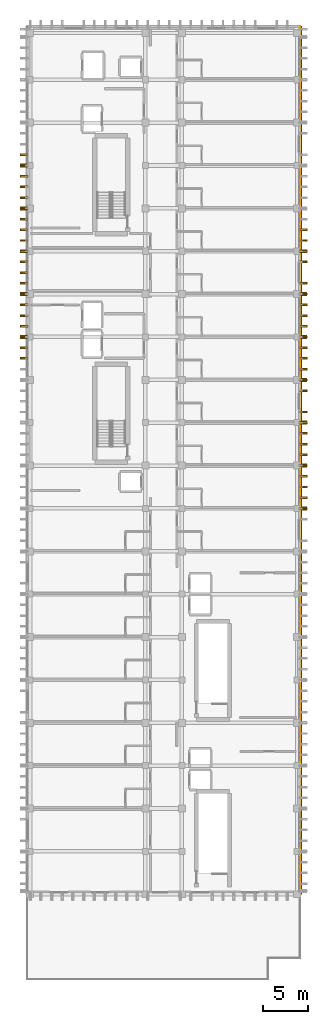
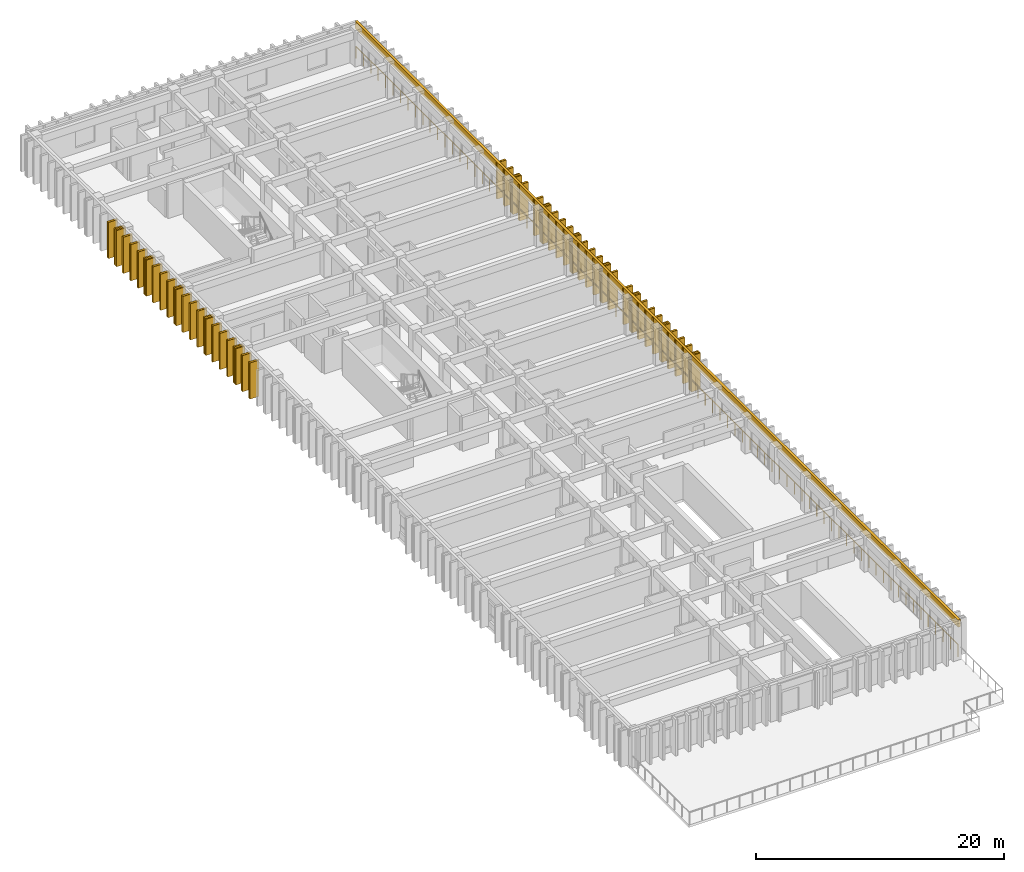
# One storey, part 66 of 68: 46 coverings, 45 shading devices, 1 railing.
"""IFC4 building model written with IfcOpenShell, lengths in metres."""

from ifc_helpers import new_model, si_unit, direction, frame, origin, origin_2d, place, context, subcontext, project, spatial, rectangle, circle, extrude, material, layer, layer_set, type_object, element, save


model = new_model("IFC4")

# Units and contexts
model_context = context("Model", 3, precision=1e-05, world=origin(), true_north=direction((0.0, 1.0)))
body_context = subcontext(model_context, "Body", "Model", "MODEL_VIEW")
ifc_project = project(units=[si_unit("LENGTHUNIT", "METRE"), si_unit("AREAUNIT", "SQUARE_METRE"), si_unit("VOLUMEUNIT", "CUBIC_METRE"), si_unit("PLANEANGLEUNIT", "RADIAN"), si_unit("MASSUNIT", "GRAM", prefix="KILO")], contexts=[model_context])

# Site, building, storey
site_placement = place(None, origin())
site = spatial("IfcSite", under=ifc_project, at=site_placement, CompositionType="ELEMENT")
building_placement = place(site_placement, origin())
building = spatial("IfcBuilding", under=site, at=building_placement, Name="Nakhvara Creek Congress Hotel", CompositionType="ELEMENT")
storey_placement = place(building_placement, frame((0.0, 0.0, 24.60009765625)))
storey = spatial("IfcBuildingStorey", under=building, at=storey_placement, Name="L05", CompositionType="ELEMENT", Elevation=24.60009765625)

# Coverings
ifc_material_1 = material(Name="Honed pale Omani limestone architectural cladding", Category="masonry")
ifc_layer_1 = layer(ifc_material_1, 0.219970703125)
ifc_layer_set_1 = layer_set([ifc_layer_1], Name="Honed pale Omani limestone architectural cladding")
covering_type_1 = type_object("IfcCoveringType", Name="COV-FIN-850", PredefinedType="CLADDING", material=ifc_layer_set_1)
covering_1_placement = place(storey_placement, frame((180.054931640625, 72.0, -0.000244140625), z_axis=(0.0, 0.0, 1.0), x_axis=(0.0, 1.0, 0.0)))
element("IfcCovering", 1, at=covering_1_placement, inside=storey, type_object=covering_type_1, Name="Pale Limestone Fin Cladding CF01-1486", PredefinedType="CLADDING", context=body_context, shape_type="SweptSolid", body=[
    extrude(rectangle(XDim=0.43994140625, YDim=0.85009765625, at=origin_2d()), origin(), (0.0, 0.0, 1.0), 3.56005859375),
])
for number, where, z_axis, x_axis, name in (
    (2, (180.054931640625, 73.199951171875, -0.000244140625), (0.0, 0.0, 1.0), (0.0, 1.0, 0.0), "Pale Limestone Fin Cladding CF01-1488"),
    (3, (180.054931640625, 74.39990234375, -0.000244140625), (0.0, 0.0, 1.0), (0.0, 1.0, 0.0), "Pale Limestone Fin Cladding CF01-1490"),
    (4, (180.054931640625, 75.60009765625, -0.000244140625), (0.0, 0.0, 1.0), (0.0, 1.0, 0.0), "Pale Limestone Fin Cladding CF01-1492"),
):
    element("IfcCovering", number, at=place(storey_placement, frame(where, z_axis=z_axis, x_axis=x_axis)), inside=storey, type_object=covering_type_1, Name=name, PredefinedType="CLADDING", context=body_context, shape_type="SweptSolid", body=[
        extrude(rectangle(XDim=0.219970703125, YDim=0.85009765625, at=origin_2d()), origin(), (0.0, 0.0, 1.0), 3.56005859375),
    ])
covering_2_placement = place(storey_placement, frame((180.054931640625, 76.800048828125, -0.000244140625), z_axis=(0.0, 0.0, 1.0), x_axis=(0.0, 1.0, 0.0)))
element("IfcCovering", 5, at=covering_2_placement, inside=storey, type_object=covering_type_1, Name="Pale Limestone Fin Cladding CF01-1494", PredefinedType="CLADDING", context=body_context, shape_type="SweptSolid", body=[
    extrude(rectangle(XDim=0.43994140625, YDim=0.85009765625, at=origin_2d()), origin(), (0.0, 0.0, 1.0), 3.56005859375),
])
for number, where, z_axis, x_axis, name in (
    (6, (180.054931640625, 78.0, -0.000244140625), (0.0, 0.0, 1.0), (0.0, 1.0, 0.0), "Pale Limestone Fin Cladding CF01-1496"),
    (7, (180.054931640625, 79.199951171875, -0.000244140625), (0.0, 0.0, 1.0), (0.0, 1.0, 0.0), "Pale Limestone Fin Cladding CF01-1498"),
    (8, (180.054931640625, 80.39990234375, -0.000244140625), (0.0, 0.0, 1.0), (0.0, 1.0, 0.0), "Pale Limestone Fin Cladding CF01-1500"),
):
    element("IfcCovering", number, at=place(storey_placement, frame(where, z_axis=z_axis, x_axis=x_axis)), inside=storey, type_object=covering_type_1, Name=name, PredefinedType="CLADDING", context=body_context, shape_type="SweptSolid", body=[
        extrude(rectangle(XDim=0.219970703125, YDim=0.85009765625, at=origin_2d()), origin(), (0.0, 0.0, 1.0), 3.56005859375),
    ])
covering_3_placement = place(storey_placement, frame((180.054931640625, 81.60009765625, -0.000244140625), z_axis=(0.0, 0.0, 1.0), x_axis=(0.0, 1.0, 0.0)))
element("IfcCovering", 9, at=covering_3_placement, inside=storey, type_object=covering_type_1, Name="Pale Limestone Fin Cladding CF01-1502", PredefinedType="CLADDING", context=body_context, shape_type="SweptSolid", body=[
    extrude(rectangle(XDim=0.43994140625, YDim=0.85009765625, at=origin_2d()), origin(), (0.0, 0.0, 1.0), 3.56005859375),
])
for number, where, z_axis, x_axis, name in (
    (10, (180.054931640625, 82.800048828125, -0.000244140625), (0.0, 0.0, 1.0), (0.0, 1.0, 0.0), "Pale Limestone Fin Cladding CF01-1504"),
    (11, (180.054931640625, 85.199951171875, -0.000244140625), (0.0, 0.0, 1.0), (0.0, 1.0, 0.0), "Pale Limestone Fin Cladding CF01-1507"),
):
    element("IfcCovering", number, at=place(storey_placement, frame(where, z_axis=z_axis, x_axis=x_axis)), inside=storey, type_object=covering_type_1, Name=name, PredefinedType="CLADDING", context=body_context, shape_type="SweptSolid", body=[
        extrude(rectangle(XDim=0.219970703125, YDim=0.85009765625, at=origin_2d()), origin(), (0.0, 0.0, 1.0), 3.56005859375),
    ])
covering_4_placement = place(storey_placement, frame((180.054931640625, 86.39990234375, -0.000244140625), z_axis=(0.0, 0.0, 1.0), x_axis=(0.0, 1.0, 0.0)))
element("IfcCovering", 12, at=covering_4_placement, inside=storey, type_object=covering_type_1, Name="Pale Limestone Fin Cladding CF01-1509", PredefinedType="CLADDING", context=body_context, shape_type="SweptSolid", body=[
    extrude(rectangle(XDim=0.43994140625, YDim=0.85009765625, at=origin_2d()), origin(), (0.0, 0.0, 1.0), 3.56005859375),
])
for number, where, z_axis, x_axis, name in (
    (13, (180.054931640625, 87.60009765625, -0.000244140625), (0.0, 0.0, 1.0), (0.0, 1.0, 0.0), "Pale Limestone Fin Cladding CF01-1511"),
    (14, (180.054931640625, 88.800048828125, -0.000244140625), (0.0, 0.0, 1.0), (0.0, 1.0, 0.0), "Pale Limestone Fin Cladding CF01-1513"),
    (15, (148.7451171875, 88.800048828125, -0.000244140625), (0.0, 0.0, 1.0), (0.0, 1.0, 0.0), "Pale Limestone Fin Cladding CF01-1514"),
    (16, (180.054931640625, 90.0, -0.000244140625), (0.0, 0.0, 1.0), (0.0, 1.0, 0.0), "Pale Limestone Fin Cladding CF01-1515"),
    (17, (148.7451171875, 90.0, -0.000244140625), (0.0, 0.0, 1.0), (0.0, 1.0, 0.0), "Pale Limestone Fin Cladding CF01-1516"),
):
    element("IfcCovering", number, at=place(storey_placement, frame(where, z_axis=z_axis, x_axis=x_axis)), inside=storey, type_object=covering_type_1, Name=name, PredefinedType="CLADDING", context=body_context, shape_type="SweptSolid", body=[
        extrude(rectangle(XDim=0.219970703125, YDim=0.85009765625, at=origin_2d()), origin(), (0.0, 0.0, 1.0), 3.56005859375),
    ])
for number, where, z_axis, x_axis, name in (
    (18, (180.054931640625, 91.199951171875, -0.000244140625), (0.0, 0.0, 1.0), (0.0, 1.0, 0.0), "Pale Limestone Fin Cladding CF01-1517"),
    (19, (148.7451171875, 91.199951171875, -0.000244140625), (0.0, 0.0, 1.0), (0.0, 1.0, 0.0), "Pale Limestone Fin Cladding CF01-1518"),
):
    element("IfcCovering", number, at=place(storey_placement, frame(where, z_axis=z_axis, x_axis=x_axis)), inside=storey, type_object=covering_type_1, Name=name, PredefinedType="CLADDING", context=body_context, shape_type="SweptSolid", body=[
        extrude(rectangle(XDim=0.43994140625, YDim=0.85009765625, at=origin_2d()), origin(), (0.0, 0.0, 1.0), 3.56005859375),
    ])
for number, where, z_axis, x_axis, name in (
    (20, (180.054931640625, 92.39990234375, -0.000244140625), (0.0, 0.0, 1.0), (0.0, 1.0, 0.0), "Pale Limestone Fin Cladding CF01-1519"),
    (21, (148.7451171875, 92.39990234375, -0.000244140625), (0.0, 0.0, 1.0), (0.0, 1.0, 0.0), "Pale Limestone Fin Cladding CF01-1520"),
    (22, (180.054931640625, 93.60009765625, -0.000244140625), (0.0, 0.0, 1.0), (0.0, 1.0, 0.0), "Pale Limestone Fin Cladding CF01-1521"),
    (23, (148.7451171875, 93.60009765625, -0.000244140625), (0.0, 0.0, 1.0), (0.0, 1.0, 0.0), "Pale Limestone Fin Cladding CF01-1522"),
    (24, (180.054931640625, 94.800048828125, -0.000244140625), (0.0, 0.0, 1.0), (0.0, 1.0, 0.0), "Pale Limestone Fin Cladding CF01-1523"),
    (25, (148.7451171875, 94.800048828125, -0.000244140625), (0.0, 0.0, 1.0), (0.0, 1.0, 0.0), "Pale Limestone Fin Cladding CF01-1524"),
):
    element("IfcCovering", number, at=place(storey_placement, frame(where, z_axis=z_axis, x_axis=x_axis)), inside=storey, type_object=covering_type_1, Name=name, PredefinedType="CLADDING", context=body_context, shape_type="SweptSolid", body=[
        extrude(rectangle(XDim=0.219970703125, YDim=0.85009765625, at=origin_2d()), origin(), (0.0, 0.0, 1.0), 3.56005859375),
    ])
for number, where, z_axis, x_axis, name in (
    (26, (180.054931640625, 96.0, -0.000244140625), (0.0, 0.0, 1.0), (0.0, 1.0, 0.0), "Pale Limestone Fin Cladding CF01-1525"),
    (27, (148.7451171875, 96.0, -0.000244140625), (0.0, 0.0, 1.0), (0.0, 1.0, 0.0), "Pale Limestone Fin Cladding CF01-1526"),
):
    element("IfcCovering", number, at=place(storey_placement, frame(where, z_axis=z_axis, x_axis=x_axis)), inside=storey, type_object=covering_type_1, Name=name, PredefinedType="CLADDING", context=body_context, shape_type="SweptSolid", body=[
        extrude(rectangle(XDim=0.43994140625, YDim=0.85009765625, at=origin_2d()), origin(), (0.0, 0.0, 1.0), 3.56005859375),
    ])
for number, where, z_axis, x_axis, name in (
    (28, (180.054931640625, 97.199951171875, -0.000244140625), (0.0, 0.0, 1.0), (0.0, 1.0, 0.0), "Pale Limestone Fin Cladding CF01-1527"),
    (29, (148.7451171875, 97.199951171875, -0.000244140625), (0.0, 0.0, 1.0), (0.0, 1.0, 0.0), "Pale Limestone Fin Cladding CF01-1528"),
    (30, (148.7451171875, 98.39990234375, -0.000244140625), (0.0, 0.0, 1.0), (0.0, 1.0, 0.0), "Pale Limestone Fin Cladding CF01-1529"),
    (31, (180.054931640625, 99.60009765625, -0.000244140625), (0.0, 0.0, 1.0), (0.0, 1.0, 0.0), "Pale Limestone Fin Cladding CF01-1530"),
    (32, (148.7451171875, 99.60009765625, -0.000244140625), (0.0, 0.0, 1.0), (0.0, 1.0, 0.0), "Pale Limestone Fin Cladding CF01-1531"),
):
    element("IfcCovering", number, at=place(storey_placement, frame(where, z_axis=z_axis, x_axis=x_axis)), inside=storey, type_object=covering_type_1, Name=name, PredefinedType="CLADDING", context=body_context, shape_type="SweptSolid", body=[
        extrude(rectangle(XDim=0.219970703125, YDim=0.85009765625, at=origin_2d()), origin(), (0.0, 0.0, 1.0), 3.56005859375),
    ])
for number, where, z_axis, x_axis, name in (
    (33, (180.054931640625, 100.800048828125, -0.000244140625), (0.0, 0.0, 1.0), (0.0, 1.0, 0.0), "Pale Limestone Fin Cladding CF01-1532"),
    (34, (148.7451171875, 100.800048828125, -0.000244140625), (0.0, 0.0, 1.0), (0.0, 1.0, 0.0), "Pale Limestone Fin Cladding CF01-1533"),
):
    element("IfcCovering", number, at=place(storey_placement, frame(where, z_axis=z_axis, x_axis=x_axis)), inside=storey, type_object=covering_type_1, Name=name, PredefinedType="CLADDING", context=body_context, shape_type="SweptSolid", body=[
        extrude(rectangle(XDim=0.43994140625, YDim=0.85009765625, at=origin_2d()), origin(), (0.0, 0.0, 1.0), 3.56005859375),
    ])
for number, where, z_axis, x_axis, name in (
    (35, (180.054931640625, 102.0, -0.000244140625), (0.0, 0.0, 1.0), (0.0, 1.0, 0.0), "Pale Limestone Fin Cladding CF01-1534"),
    (36, (148.7451171875, 102.0, -0.000244140625), (0.0, 0.0, 1.0), (0.0, 1.0, 0.0), "Pale Limestone Fin Cladding CF01-1535"),
    (37, (180.054931640625, 103.199951171875, -0.000244140625), (0.0, 0.0, 1.0), (0.0, 1.0, 0.0), "Pale Limestone Fin Cladding CF01-1536"),
    (38, (148.7451171875, 103.199951171875, -0.000244140625), (0.0, 0.0, 1.0), (0.0, 1.0, 0.0), "Pale Limestone Fin Cladding CF01-1537"),
    (39, (148.7451171875, 104.39990234375, -0.000244140625), (0.0, 0.0, 1.0), (0.0, 1.0, 0.0), "Pale Limestone Fin Cladding CF01-1539"),
):
    element("IfcCovering", number, at=place(storey_placement, frame(where, z_axis=z_axis, x_axis=x_axis)), inside=storey, type_object=covering_type_1, Name=name, PredefinedType="CLADDING", context=body_context, shape_type="SweptSolid", body=[
        extrude(rectangle(XDim=0.219970703125, YDim=0.85009765625, at=origin_2d()), origin(), (0.0, 0.0, 1.0), 3.56005859375),
    ])
covering_5_placement = place(storey_placement, frame((148.7451171875, 105.60009765625, -0.000244140625), z_axis=(0.0, 0.0, 1.0), x_axis=(0.0, 1.0, 0.0)))
element("IfcCovering", 40, at=covering_5_placement, inside=storey, type_object=covering_type_1, Name="Pale Limestone Fin Cladding CF01-1541", PredefinedType="CLADDING", context=body_context, shape_type="SweptSolid", body=[
    extrude(rectangle(XDim=0.43994140625, YDim=0.85009765625, at=origin_2d()), origin(), (0.0, 0.0, 1.0), 3.56005859375),
])
for number, where, z_axis, x_axis, name in (
    (41, (148.7451171875, 106.800048828125, -0.000244140625), (0.0, 0.0, 1.0), (0.0, 1.0, 0.0), "Pale Limestone Fin Cladding CF01-1543"),
    (42, (148.7451171875, 108.0, -0.000244140625), (0.0, 0.0, 1.0), (0.0, 1.0, 0.0), "Pale Limestone Fin Cladding CF01-1545"),
    (43, (148.7451171875, 109.199951171875, -0.000244140625), (0.0, 0.0, 1.0), (0.0, 1.0, 0.0), "Pale Limestone Fin Cladding CF01-1547"),
):
    element("IfcCovering", number, at=place(storey_placement, frame(where, z_axis=z_axis, x_axis=x_axis)), inside=storey, type_object=covering_type_1, Name=name, PredefinedType="CLADDING", context=body_context, shape_type="SweptSolid", body=[
        extrude(rectangle(XDim=0.219970703125, YDim=0.85009765625, at=origin_2d()), origin(), (0.0, 0.0, 1.0), 3.56005859375),
    ])
covering_6_placement = place(storey_placement, frame((148.7451171875, 110.39990234375, -0.000244140625), z_axis=(0.0, 0.0, 1.0), x_axis=(0.0, 1.0, 0.0)))
element("IfcCovering", 44, at=covering_6_placement, inside=storey, type_object=covering_type_1, Name="Pale Limestone Fin Cladding CF01-1549", PredefinedType="CLADDING", context=body_context, shape_type="SweptSolid", body=[
    extrude(rectangle(XDim=0.43994140625, YDim=0.85009765625, at=origin_2d()), origin(), (0.0, 0.0, 1.0), 3.56005859375),
])
covering_7_placement = place(storey_placement, frame((148.7451171875, 111.60009765625, -0.000244140625), z_axis=(0.0, 0.0, 1.0), x_axis=(0.0, 1.0, 0.0)))
element("IfcCovering", 45, at=covering_7_placement, inside=storey, type_object=covering_type_1, Name="Pale Limestone Fin Cladding CF01-1551", PredefinedType="CLADDING", context=body_context, shape_type="SweptSolid", body=[
    extrude(rectangle(XDim=0.219970703125, YDim=0.85009765625, at=origin_2d()), origin(), (0.0, 0.0, 1.0), 3.56005859375),
])
ifc_layer_2 = layer(ifc_material_1, 0.179931640625)
ifc_layer_set_2 = layer_set([ifc_layer_2], Name="Honed pale Omani limestone architectural cladding")
covering_type_2 = type_object("IfcCoveringType", Name="COV-SPN-180", PredefinedType="CLADDING", material=ifc_layer_set_2)
covering_8_placement = place(storey_placement, frame((179.739990234375, 77.39990234375, 2.909912109375), z_axis=(0.0, 0.0, 1.0), x_axis=(0.0, 1.0, 0.0)))
element("IfcCovering", 46, at=covering_8_placement, inside=storey, type_object=covering_type_2, Name="Pale Limestone Spandrel Band CF02-0061", PredefinedType="CLADDING", context=body_context, shape_type="SweptSolid", body=[
    extrude(rectangle(XDim=97.199951171875, YDim=0.219970703125, at=origin_2d()), origin(), (0.0, 0.0, 1.0), 0.72998046875),
])

# Railing
ifc_material_2 = material(Name="Brushed stainless steel 316L", Category="steel")
railing_type = type_object("IfcRailingType", Name="RL-GUARD-1200", PredefinedType="GUARDRAIL", material=ifc_material_2)
railing_placement = place(storey_placement, frame((179.669921875, 28.8798828125, 0.0)))
element("IfcRailing", 47, at=railing_placement, inside=storey, type_object=railing_type, Name="Perimeter Safety Rail East L05", PredefinedType="GUARDRAIL", context=body_context, shape_type="SweptSolid", body=[
    extrude(circle(Radius=0.02392578125, at=origin_2d()), frame((0.0, 0.0146484375, 1.17578125), z_axis=(0.0, 1.0, 0.0), x_axis=(-1.0, 0.0, 0.0)), (0.0, 0.0, 1.0), 97.0107421875),
    extrude(circle(Radius=0.02099609375, at=origin_2d()), origin(), (0.0, 0.0, 1.0), 1.1806640625),
    extrude(circle(Radius=0.02099609375, at=origin_2d()), frame((0.0, 1.197998046875, 0.0)), (0.0, 0.0, 1.0), 1.1806640625),
    extrude(circle(Radius=0.02099609375, at=origin_2d()), frame((0.0, 2.39599609375, 0.0)), (0.0, 0.0, 1.0), 1.1806640625),
    extrude(circle(Radius=0.02099609375, at=origin_2d()), frame((0.0, 3.593994140625, 0.0)), (0.0, 0.0, 1.0), 1.1806640625),
    extrude(circle(Radius=0.02099609375, at=origin_2d()), frame((0.0, 4.7919921875, 0.0)), (0.0, 0.0, 1.0), 1.1806640625),
    extrude(circle(Radius=0.02099609375, at=origin_2d()), frame((0.0, 5.990234375, 0.0)), (0.0, 0.0, 1.0), 1.1806640625),
    extrude(circle(Radius=0.02099609375, at=origin_2d()), frame((0.0, 7.188232421875, 0.0)), (0.0, 0.0, 1.0), 1.1806640625),
    extrude(circle(Radius=0.02099609375, at=origin_2d()), frame((0.0, 8.38623046875, 0.0)), (0.0, 0.0, 1.0), 1.1806640625),
    extrude(circle(Radius=0.02099609375, at=origin_2d()), frame((0.0, 9.584228515625, 0.0)), (0.0, 0.0, 1.0), 1.1806640625),
    extrude(circle(Radius=0.02099609375, at=origin_2d()), frame((0.0, 10.7822265625, 0.0)), (0.0, 0.0, 1.0), 1.1806640625),
    extrude(circle(Radius=0.02099609375, at=origin_2d()), frame((0.0, 11.980224609375, 0.0)), (0.0, 0.0, 1.0), 1.1806640625),
    extrude(circle(Radius=0.02099609375, at=origin_2d()), frame((0.0, 13.17822265625, 0.0)), (0.0, 0.0, 1.0), 1.1806640625),
    extrude(circle(Radius=0.02099609375, at=origin_2d()), frame((0.0, 14.376220703125, 0.0)), (0.0, 0.0, 1.0), 1.1806640625),
    extrude(circle(Radius=0.02099609375, at=origin_2d()), frame((0.0, 15.57421875, 0.0)), (0.0, 0.0, 1.0), 1.1806640625),
    extrude(circle(Radius=0.02099609375, at=origin_2d()), frame((0.0, 16.7724609375, 0.0)), (0.0, 0.0, 1.0), 1.1806640625),
    extrude(circle(Radius=0.02099609375, at=origin_2d()), frame((0.0, 17.970458984375, 0.0)), (0.0, 0.0, 1.0), 1.1806640625),
    extrude(circle(Radius=0.02099609375, at=origin_2d()), frame((0.0, 19.16845703125, 0.0)), (0.0, 0.0, 1.0), 1.1806640625),
    extrude(circle(Radius=0.02099609375, at=origin_2d()), frame((0.0, 20.366455078125, 0.0)), (0.0, 0.0, 1.0), 1.1806640625),
    extrude(circle(Radius=0.02099609375, at=origin_2d()), frame((0.0, 21.564453125, 0.0)), (0.0, 0.0, 1.0), 1.1806640625),
    extrude(circle(Radius=0.02099609375, at=origin_2d()), frame((0.0, 22.762451171875, 0.0)), (0.0, 0.0, 1.0), 1.1806640625),
    extrude(circle(Radius=0.02099609375, at=origin_2d()), frame((0.0, 23.96044921875, 0.0)), (0.0, 0.0, 1.0), 1.1806640625),
    extrude(circle(Radius=0.02099609375, at=origin_2d()), frame((0.0, 25.158447265625, 0.0)), (0.0, 0.0, 1.0), 1.1806640625),
    extrude(circle(Radius=0.02099609375, at=origin_2d()), frame((0.0, 26.3564453125, 0.0)), (0.0, 0.0, 1.0), 1.1806640625),
    extrude(circle(Radius=0.02099609375, at=origin_2d()), frame((0.0, 27.5546875, 0.0)), (0.0, 0.0, 1.0), 1.1806640625),
    extrude(circle(Radius=0.02099609375, at=origin_2d()), frame((0.0, 28.752685546875, 0.0)), (0.0, 0.0, 1.0), 1.1806640625),
    extrude(circle(Radius=0.02099609375, at=origin_2d()), frame((0.0, 29.95068359375, 0.0)), (0.0, 0.0, 1.0), 1.1806640625),
    extrude(circle(Radius=0.02099609375, at=origin_2d()), frame((0.0, 31.148681640625, 0.0)), (0.0, 0.0, 1.0), 1.1806640625),
    extrude(circle(Radius=0.02099609375, at=origin_2d()), frame((0.0, 32.3466796875, 0.0)), (0.0, 0.0, 1.0), 1.1806640625),
    extrude(circle(Radius=0.02099609375, at=origin_2d()), frame((0.0, 33.544677734375, 0.0)), (0.0, 0.0, 1.0), 1.1806640625),
    extrude(circle(Radius=0.02099609375, at=origin_2d()), frame((0.0, 34.74267578125, 0.0)), (0.0, 0.0, 1.0), 1.1806640625),
    extrude(circle(Radius=0.02099609375, at=origin_2d()), frame((0.0, 35.940673828125, 0.0)), (0.0, 0.0, 1.0), 1.1806640625),
    extrude(circle(Radius=0.02099609375, at=origin_2d()), frame((0.0, 37.138671875, 0.0)), (0.0, 0.0, 1.0), 1.1806640625),
    extrude(circle(Radius=0.02099609375, at=origin_2d()), frame((0.0, 38.3369140625, 0.0)), (0.0, 0.0, 1.0), 1.1806640625),
    extrude(circle(Radius=0.02099609375, at=origin_2d()), frame((0.0, 39.534912109375, 0.0)), (0.0, 0.0, 1.0), 1.1806640625),
    extrude(circle(Radius=0.02099609375, at=origin_2d()), frame((0.0, 40.73291015625, 0.0)), (0.0, 0.0, 1.0), 1.1806640625),
    extrude(circle(Radius=0.02099609375, at=origin_2d()), frame((0.0, 41.930908203125, 0.0)), (0.0, 0.0, 1.0), 1.1806640625),
    extrude(circle(Radius=0.02099609375, at=origin_2d()), frame((0.0, 43.12890625, 0.0)), (0.0, 0.0, 1.0), 1.1806640625),
    extrude(circle(Radius=0.02099609375, at=origin_2d()), frame((0.0, 44.326904296875, 0.0)), (0.0, 0.0, 1.0), 1.1806640625),
    extrude(circle(Radius=0.02099609375, at=origin_2d()), frame((0.0, 45.52490234375, 0.0)), (0.0, 0.0, 1.0), 1.1806640625),
    extrude(circle(Radius=0.02099609375, at=origin_2d()), frame((0.0, 46.722900390625, 0.0)), (0.0, 0.0, 1.0), 1.1806640625),
    extrude(circle(Radius=0.02099609375, at=origin_2d()), frame((0.0, 47.9208984375, 0.0)), (0.0, 0.0, 1.0), 1.1806640625),
    extrude(circle(Radius=0.02099609375, at=origin_2d()), frame((0.0, 49.119140625, 0.0)), (0.0, 0.0, 1.0), 1.1806640625),
    extrude(circle(Radius=0.02099609375, at=origin_2d()), frame((0.0, 50.317138671875, 0.0)), (0.0, 0.0, 1.0), 1.1806640625),
    extrude(circle(Radius=0.02099609375, at=origin_2d()), frame((0.0, 51.51513671875, 0.0)), (0.0, 0.0, 1.0), 1.1806640625),
    extrude(circle(Radius=0.02099609375, at=origin_2d()), frame((0.0, 52.713134765625, 0.0)), (0.0, 0.0, 1.0), 1.1806640625),
    extrude(circle(Radius=0.02099609375, at=origin_2d()), frame((0.0, 53.9111328125, 0.0)), (0.0, 0.0, 1.0), 1.1806640625),
    extrude(circle(Radius=0.02099609375, at=origin_2d()), frame((0.0, 55.109130859375, 0.0)), (0.0, 0.0, 1.0), 1.1806640625),
    extrude(circle(Radius=0.02099609375, at=origin_2d()), frame((0.0, 56.30712890625, 0.0)), (0.0, 0.0, 1.0), 1.1806640625),
    extrude(circle(Radius=0.02099609375, at=origin_2d()), frame((0.0, 57.505126953125, 0.0)), (0.0, 0.0, 1.0), 1.1806640625),
    extrude(circle(Radius=0.02099609375, at=origin_2d()), frame((0.0, 58.703125, 0.0)), (0.0, 0.0, 1.0), 1.1806640625),
    extrude(circle(Radius=0.02099609375, at=origin_2d()), frame((0.0, 59.9013671875, 0.0)), (0.0, 0.0, 1.0), 1.1806640625),
    extrude(circle(Radius=0.02099609375, at=origin_2d()), frame((0.0, 61.099365234375, 0.0)), (0.0, 0.0, 1.0), 1.1806640625),
    extrude(circle(Radius=0.02099609375, at=origin_2d()), frame((0.0, 62.29736328125, 0.0)), (0.0, 0.0, 1.0), 1.1806640625),
    extrude(circle(Radius=0.02099609375, at=origin_2d()), frame((0.0, 63.495361328125, 0.0)), (0.0, 0.0, 1.0), 1.1806640625),
    extrude(circle(Radius=0.02099609375, at=origin_2d()), frame((0.0, 64.693359375, 0.0)), (0.0, 0.0, 1.0), 1.1806640625),
    extrude(circle(Radius=0.02099609375, at=origin_2d()), frame((0.0, 65.891357421875, 0.0)), (0.0, 0.0, 1.0), 1.1806640625),
    extrude(circle(Radius=0.02099609375, at=origin_2d()), frame((0.0, 67.08935546875, 0.0)), (0.0, 0.0, 1.0), 1.1806640625),
    extrude(circle(Radius=0.02099609375, at=origin_2d()), frame((0.0, 68.287353515625, 0.0)), (0.0, 0.0, 1.0), 1.1806640625),
    extrude(circle(Radius=0.02099609375, at=origin_2d()), frame((0.0, 69.4853515625, 0.0)), (0.0, 0.0, 1.0), 1.1806640625),
    extrude(circle(Radius=0.02099609375, at=origin_2d()), frame((0.0, 70.68359375, 0.0)), (0.0, 0.0, 1.0), 1.1806640625),
    extrude(circle(Radius=0.02099609375, at=origin_2d()), frame((0.0, 71.881591796875, 0.0)), (0.0, 0.0, 1.0), 1.1806640625),
    extrude(circle(Radius=0.02099609375, at=origin_2d()), frame((0.0, 73.07958984375, 0.0)), (0.0, 0.0, 1.0), 1.1806640625),
    extrude(circle(Radius=0.02099609375, at=origin_2d()), frame((0.0, 74.277587890625, 0.0)), (0.0, 0.0, 1.0), 1.1806640625),
    extrude(circle(Radius=0.02099609375, at=origin_2d()), frame((0.0, 75.4755859375, 0.0)), (0.0, 0.0, 1.0), 1.1806640625),
    extrude(circle(Radius=0.02099609375, at=origin_2d()), frame((0.0, 76.673583984375, 0.0)), (0.0, 0.0, 1.0), 1.1806640625),
    extrude(circle(Radius=0.02099609375, at=origin_2d()), frame((0.0, 77.87158203125, 0.0)), (0.0, 0.0, 1.0), 1.1806640625),
    extrude(circle(Radius=0.02099609375, at=origin_2d()), frame((0.0, 79.069580078125, 0.0)), (0.0, 0.0, 1.0), 1.1806640625),
    extrude(circle(Radius=0.02099609375, at=origin_2d()), frame((0.0, 80.267578125, 0.0)), (0.0, 0.0, 1.0), 1.1806640625),
    extrude(circle(Radius=0.02099609375, at=origin_2d()), frame((0.0, 81.4658203125, 0.0)), (0.0, 0.0, 1.0), 1.1806640625),
    extrude(circle(Radius=0.02099609375, at=origin_2d()), frame((0.0, 82.663818359375, 0.0)), (0.0, 0.0, 1.0), 1.1806640625),
    extrude(circle(Radius=0.02099609375, at=origin_2d()), frame((0.0, 83.86181640625, 0.0)), (0.0, 0.0, 1.0), 1.1806640625),
    extrude(circle(Radius=0.02099609375, at=origin_2d()), frame((0.0, 85.059814453125, 0.0)), (0.0, 0.0, 1.0), 1.1806640625),
    extrude(circle(Radius=0.02099609375, at=origin_2d()), frame((0.0, 86.2578125, 0.0)), (0.0, 0.0, 1.0), 1.1806640625),
    extrude(circle(Radius=0.02099609375, at=origin_2d()), frame((0.0, 87.455810546875, 0.0)), (0.0, 0.0, 1.0), 1.1806640625),
    extrude(circle(Radius=0.02099609375, at=origin_2d()), frame((0.0, 88.65380859375, 0.0)), (0.0, 0.0, 1.0), 1.1806640625),
    extrude(circle(Radius=0.02099609375, at=origin_2d()), frame((0.0, 89.851806640625, 0.0)), (0.0, 0.0, 1.0), 1.1806640625),
    extrude(circle(Radius=0.02099609375, at=origin_2d()), frame((0.0, 91.0498046875, 0.0)), (0.0, 0.0, 1.0), 1.1806640625),
    extrude(circle(Radius=0.02099609375, at=origin_2d()), frame((0.0, 92.248046875, 0.0)), (0.0, 0.0, 1.0), 1.1806640625),
    extrude(circle(Radius=0.02099609375, at=origin_2d()), frame((0.0, 93.446044921875, 0.0)), (0.0, 0.0, 1.0), 1.1806640625),
    extrude(circle(Radius=0.02099609375, at=origin_2d()), frame((0.0, 94.64404296875, 0.0)), (0.0, 0.0, 1.0), 1.1806640625),
    extrude(circle(Radius=0.02099609375, at=origin_2d()), frame((0.0, 95.842041015625, 0.0)), (0.0, 0.0, 1.0), 1.1806640625),
    extrude(circle(Radius=0.02099609375, at=origin_2d()), frame((0.0, 97.0400390625, 0.0)), (0.0, 0.0, 1.0), 1.1806640625),
])

# Shading devices
ifc_material_3 = material(Name="Honed pale Omani limestone cladding on stainless steel spine", Category="masonry")
shading_device_type = type_object("IfcShadingDeviceType", Name="SHD-FIN-850X3600", PredefinedType="USERDEFINED", material=ifc_material_3)
for number, where, z_axis, x_axis, name in (
    (48, (180.054931640625, 72.0, -0.000244140625), (0.0, 0.0, 1.0), (0.0, 1.0, 0.0), "Limestone Solar Fin FN01-1351"),
    (49, (180.054931640625, 73.199951171875, -0.000244140625), (0.0, 0.0, 1.0), (0.0, 1.0, 0.0), "Limestone Solar Fin FN01-1353"),
    (50, (180.054931640625, 74.39990234375, -0.000244140625), (0.0, 0.0, 1.0), (0.0, 1.0, 0.0), "Limestone Solar Fin FN01-1355"),
    (51, (180.054931640625, 75.60009765625, -0.000244140625), (0.0, 0.0, 1.0), (0.0, 1.0, 0.0), "Limestone Solar Fin FN01-1357"),
    (52, (180.054931640625, 76.800048828125, -0.000244140625), (0.0, 0.0, 1.0), (0.0, 1.0, 0.0), "Limestone Solar Fin FN01-1359"),
    (53, (180.054931640625, 78.0, -0.000244140625), (0.0, 0.0, 1.0), (0.0, 1.0, 0.0), "Limestone Solar Fin FN01-1361"),
    (54, (180.054931640625, 79.199951171875, -0.000244140625), (0.0, 0.0, 1.0), (0.0, 1.0, 0.0), "Limestone Solar Fin FN01-1363"),
    (55, (180.054931640625, 80.39990234375, -0.000244140625), (0.0, 0.0, 1.0), (0.0, 1.0, 0.0), "Limestone Solar Fin FN01-1365"),
    (56, (180.054931640625, 81.60009765625, -0.000244140625), (0.0, 0.0, 1.0), (0.0, 1.0, 0.0), "Limestone Solar Fin FN01-1367"),
    (57, (180.054931640625, 82.800048828125, -0.000244140625), (0.0, 0.0, 1.0), (0.0, 1.0, 0.0), "Limestone Solar Fin FN01-1369"),
    (58, (180.054931640625, 85.199951171875, -0.000244140625), (0.0, 0.0, 1.0), (0.0, 1.0, 0.0), "Limestone Solar Fin FN01-1372"),
    (59, (180.054931640625, 86.39990234375, -0.000244140625), (0.0, 0.0, 1.0), (0.0, 1.0, 0.0), "Limestone Solar Fin FN01-1374"),
    (60, (180.054931640625, 87.60009765625, -0.000244140625), (0.0, 0.0, 1.0), (0.0, 1.0, 0.0), "Limestone Solar Fin FN01-1376"),
    (61, (180.054931640625, 88.800048828125, -0.000244140625), (0.0, 0.0, 1.0), (0.0, 1.0, 0.0), "Limestone Solar Fin FN01-1378"),
    (62, (148.7451171875, 88.800048828125, -0.000244140625), (0.0, 0.0, 1.0), (0.0, 1.0, 0.0), "Limestone Solar Fin FN01-1379"),
    (63, (180.054931640625, 90.0, -0.000244140625), (0.0, 0.0, 1.0), (0.0, 1.0, 0.0), "Limestone Solar Fin FN01-1380"),
    (64, (148.7451171875, 90.0, -0.000244140625), (0.0, 0.0, 1.0), (0.0, 1.0, 0.0), "Limestone Solar Fin FN01-1381"),
    (65, (180.054931640625, 91.199951171875, -0.000244140625), (0.0, 0.0, 1.0), (0.0, 1.0, 0.0), "Limestone Solar Fin FN01-1382"),
    (66, (148.7451171875, 91.199951171875, -0.000244140625), (0.0, 0.0, 1.0), (0.0, 1.0, 0.0), "Limestone Solar Fin FN01-1383"),
    (67, (180.054931640625, 92.39990234375, -0.000244140625), (0.0, 0.0, 1.0), (0.0, 1.0, 0.0), "Limestone Solar Fin FN01-1384"),
    (68, (148.7451171875, 92.39990234375, -0.000244140625), (0.0, 0.0, 1.0), (0.0, 1.0, 0.0), "Limestone Solar Fin FN01-1385"),
    (69, (180.054931640625, 93.60009765625, -0.000244140625), (0.0, 0.0, 1.0), (0.0, 1.0, 0.0), "Limestone Solar Fin FN01-1386"),
    (70, (148.7451171875, 93.60009765625, -0.000244140625), (0.0, 0.0, 1.0), (0.0, 1.0, 0.0), "Limestone Solar Fin FN01-1387"),
    (71, (180.054931640625, 94.800048828125, -0.000244140625), (0.0, 0.0, 1.0), (0.0, 1.0, 0.0), "Limestone Solar Fin FN01-1388"),
    (72, (148.7451171875, 94.800048828125, -0.000244140625), (0.0, 0.0, 1.0), (0.0, 1.0, 0.0), "Limestone Solar Fin FN01-1389"),
    (73, (180.054931640625, 96.0, -0.000244140625), (0.0, 0.0, 1.0), (0.0, 1.0, 0.0), "Limestone Solar Fin FN01-1390"),
    (74, (148.7451171875, 96.0, -0.000244140625), (0.0, 0.0, 1.0), (0.0, 1.0, 0.0), "Limestone Solar Fin FN01-1391"),
    (75, (180.054931640625, 97.199951171875, -0.000244140625), (0.0, 0.0, 1.0), (0.0, 1.0, 0.0), "Limestone Solar Fin FN01-1392"),
    (76, (148.7451171875, 97.199951171875, -0.000244140625), (0.0, 0.0, 1.0), (0.0, 1.0, 0.0), "Limestone Solar Fin FN01-1393"),
    (77, (148.7451171875, 98.39990234375, -0.000244140625), (0.0, 0.0, 1.0), (0.0, 1.0, 0.0), "Limestone Solar Fin FN01-1394"),
    (78, (180.054931640625, 99.60009765625, -0.000244140625), (0.0, 0.0, 1.0), (0.0, 1.0, 0.0), "Limestone Solar Fin FN01-1395"),
    (79, (148.7451171875, 99.60009765625, -0.000244140625), (0.0, 0.0, 1.0), (0.0, 1.0, 0.0), "Limestone Solar Fin FN01-1396"),
    (80, (180.054931640625, 100.800048828125, -0.000244140625), (0.0, 0.0, 1.0), (0.0, 1.0, 0.0), "Limestone Solar Fin FN01-1397"),
    (81, (148.7451171875, 100.800048828125, -0.000244140625), (0.0, 0.0, 1.0), (0.0, 1.0, 0.0), "Limestone Solar Fin FN01-1398"),
    (82, (180.054931640625, 102.0, -0.000244140625), (0.0, 0.0, 1.0), (0.0, 1.0, 0.0), "Limestone Solar Fin FN01-1399"),
    (83, (148.7451171875, 102.0, -0.000244140625), (0.0, 0.0, 1.0), (0.0, 1.0, 0.0), "Limestone Solar Fin FN01-1400"),
    (84, (180.054931640625, 103.199951171875, -0.000244140625), (0.0, 0.0, 1.0), (0.0, 1.0, 0.0), "Limestone Solar Fin FN01-1401"),
    (85, (148.7451171875, 103.199951171875, -0.000244140625), (0.0, 0.0, 1.0), (0.0, 1.0, 0.0), "Limestone Solar Fin FN01-1402"),
    (86, (148.7451171875, 104.39990234375, -0.000244140625), (0.0, 0.0, 1.0), (0.0, 1.0, 0.0), "Limestone Solar Fin FN01-1404"),
    (87, (148.7451171875, 105.60009765625, -0.000244140625), (0.0, 0.0, 1.0), (0.0, 1.0, 0.0), "Limestone Solar Fin FN01-1406"),
    (88, (148.7451171875, 106.800048828125, -0.000244140625), (0.0, 0.0, 1.0), (0.0, 1.0, 0.0), "Limestone Solar Fin FN01-1408"),
    (89, (148.7451171875, 108.0, -0.000244140625), (0.0, 0.0, 1.0), (0.0, 1.0, 0.0), "Limestone Solar Fin FN01-1410"),
    (90, (148.7451171875, 109.199951171875, -0.000244140625), (0.0, 0.0, 1.0), (0.0, 1.0, 0.0), "Limestone Solar Fin FN01-1412"),
    (91, (148.7451171875, 110.39990234375, -0.000244140625), (0.0, 0.0, 1.0), (0.0, 1.0, 0.0), "Limestone Solar Fin FN01-1414"),
    (92, (148.7451171875, 111.60009765625, -0.000244140625), (0.0, 0.0, 1.0), (0.0, 1.0, 0.0), "Limestone Solar Fin FN01-1416"),
):
    element("IfcShadingDevice", number, at=place(storey_placement, frame(where, z_axis=z_axis, x_axis=x_axis)), inside=storey, type_object=shading_device_type, Name=name, ObjectType="FIN", PredefinedType="USERDEFINED", context=body_context, shape_type="SweptSolid", body=[
        extrude(rectangle(XDim=0.179931640625, YDim=0.85009765625, at=origin_2d()), origin(), (0.0, 0.0, 1.0), 3.56005859375),
    ])

save(model, "model.ifc")
